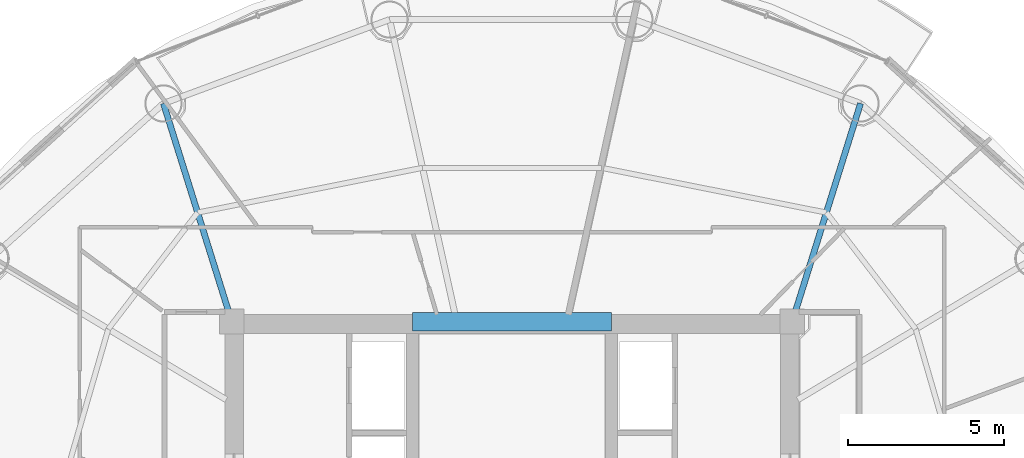
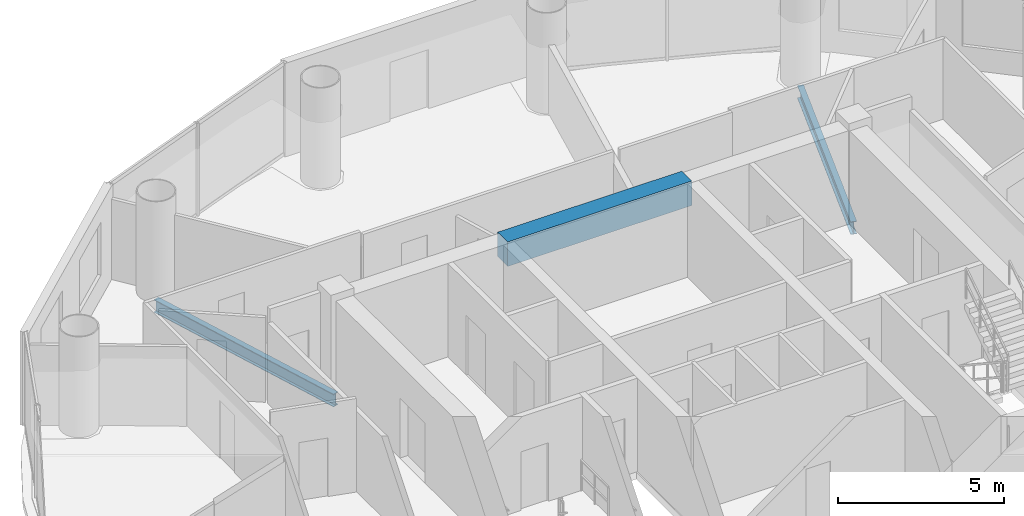
# One storey, part 10 of 26: 3 beams.
"""IFC4 building model written with IfcOpenShell, lengths in metres."""

from ifc_helpers import new_model, si_unit, direction, frame, origin, origin_2d, place, context, subcontext, project, spatial, rectangle, i_section, extrude, material, material_profile, profile_set, type_object, element, save


model = new_model("IFC4")

# Units and contexts
model_context = context("Model", 3, precision=1e-05, world=origin(), true_north=direction((-0.2419218956, 0.970295726276)))
body_context = subcontext(model_context, "Body", "Model", "MODEL_VIEW")
ifc_project = project(units=[si_unit("LENGTHUNIT", "METRE"), si_unit("AREAUNIT", "SQUARE_METRE"), si_unit("VOLUMEUNIT", "CUBIC_METRE"), si_unit("PLANEANGLEUNIT", "RADIAN"), si_unit("MASSUNIT", "GRAM", prefix="KILO")], contexts=[model_context])

# Site, building, storey
site_placement = place(None, origin())
site = spatial("IfcSite", under=ifc_project, at=site_placement, CompositionType="ELEMENT")
building_placement = place(site_placement, origin())
building = spatial("IfcBuilding", under=site, at=building_placement, Name="Cobrevalo Terracotta Tower", CompositionType="ELEMENT")
storey_placement = place(building_placement, frame((0.0, 0.0, 224.5)))
storey = spatial("IfcBuildingStorey", under=building, at=storey_placement, Name="L59", CompositionType="ELEMENT", Elevation=224.5)

# Beams
ifc_material_1 = material(Name="Concrete C60", Category="concrete")
ifc_material_profile_1 = material_profile(ifc_material_1, rectangle(XDim=0.60009765625, YDim=0.89990234375, at=origin_2d()), Name="RC CB 600x900")
ifc_profile_set_1 = profile_set([ifc_material_profile_1], Name="Concrete C60")
beam_type_1 = type_object("IfcBeamType", Name="Structural Beam RC CB 600x900 (Concrete C60)", PredefinedType="BEAM", material=ifc_profile_set_1)
beam_placement = place(storey_placement, frame((34.800048828125, 34.800048828125, 2.985107421875), z_axis=(1.0, 0.0, 0.0), x_axis=(0.0, 1.0, 0.0)))
element("IfcBeam", 1, at=beam_placement, inside=storey, type_object=beam_type_1, Name="L59 core coupling beam 2", PredefinedType="BEAM", context=body_context, shape_type="SweptSolid", body=[
    extrude(rectangle(XDim=0.60009765625, YDim=0.89990234375, at=origin_2d()), origin(), (0.0, 0.0, 1.0), 6.39990234375),
])
ifc_material_2 = material(Name="Steel S355", Category="steel")
ifc_material_profile_2 = material_profile(ifc_material_2, i_section(OverallWidth=0.194091796875, OverallDepth=0.468994140625, WebThickness=0.011474609375, FlangeThickness=0.0205078125, at=origin_2d()), Name="W 460x106")
ifc_profile_set_2 = profile_set([ifc_material_profile_2], Name="Steel S355")
beam_type_2 = type_object("IfcBeamType", Name="Structural Beam W 460x106 (Steel S355)", PredefinedType="BEAM", material=ifc_profile_set_2)
for number, where, z_axis, x_axis, name in (
    (2, (49.19482421875, 41.80810546875, -0.49951171875), (-0.298871212691, -0.954293454984, 0.0), (0.954293454984, -0.298871212691, 0.0), "L59 radial floor girder 03"),
    (3, (26.80517578125, 41.80810546875, -0.49951171875), (0.298871212691, -0.954293454984, 0.0), (0.954293454984, 0.298871212691, 0.0), "L59 radial floor girder 06"),
):
    element("IfcBeam", number, at=place(storey_placement, frame(where, z_axis=z_axis, x_axis=x_axis)), inside=storey, type_object=beam_type_2, Name=name, PredefinedType="BEAM", context=body_context, shape_type="SweptSolid", body=[
        extrude(i_section(OverallWidth=0.194091796875, OverallDepth=0.468994140625, WebThickness=0.011474609375, FlangeThickness=0.0205078125, at=origin_2d()), origin(), (0.0, 0.0, 1.0), 7.34375),
    ])

save(model, "model.ifc")
